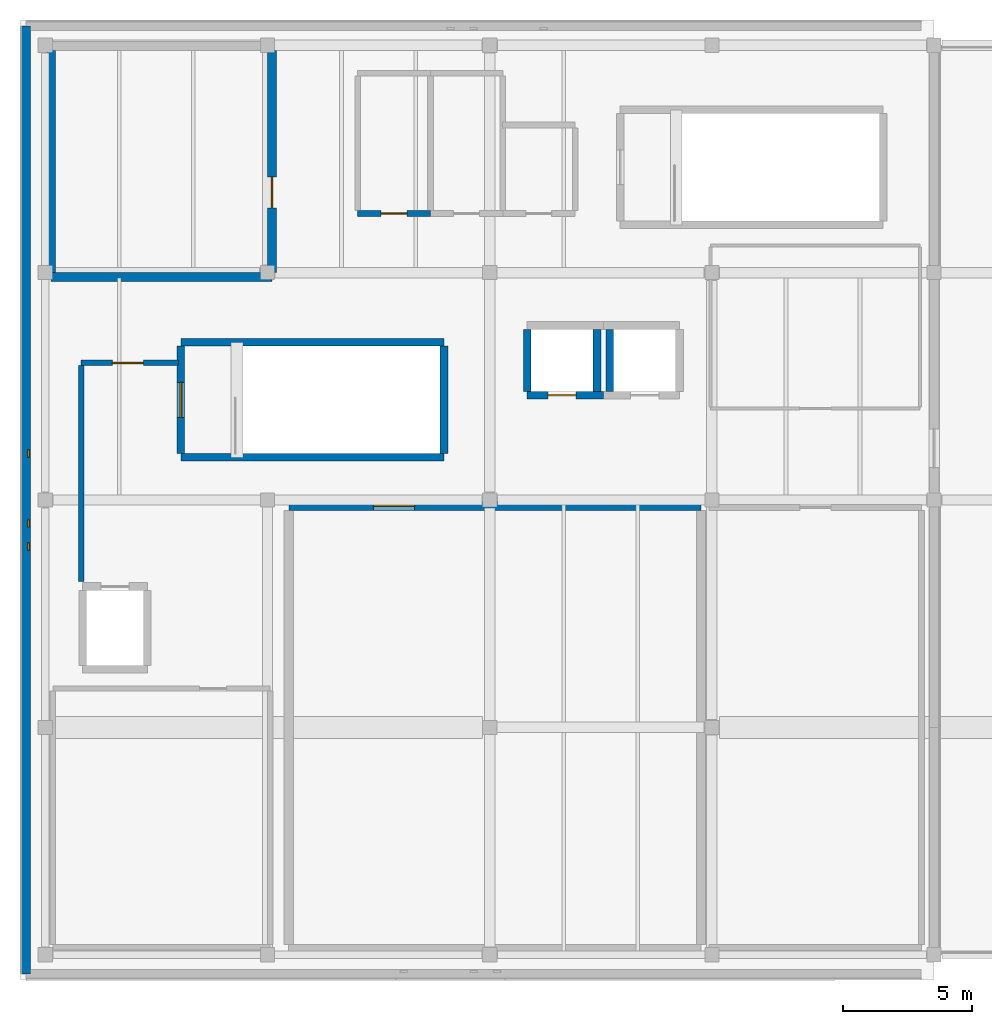
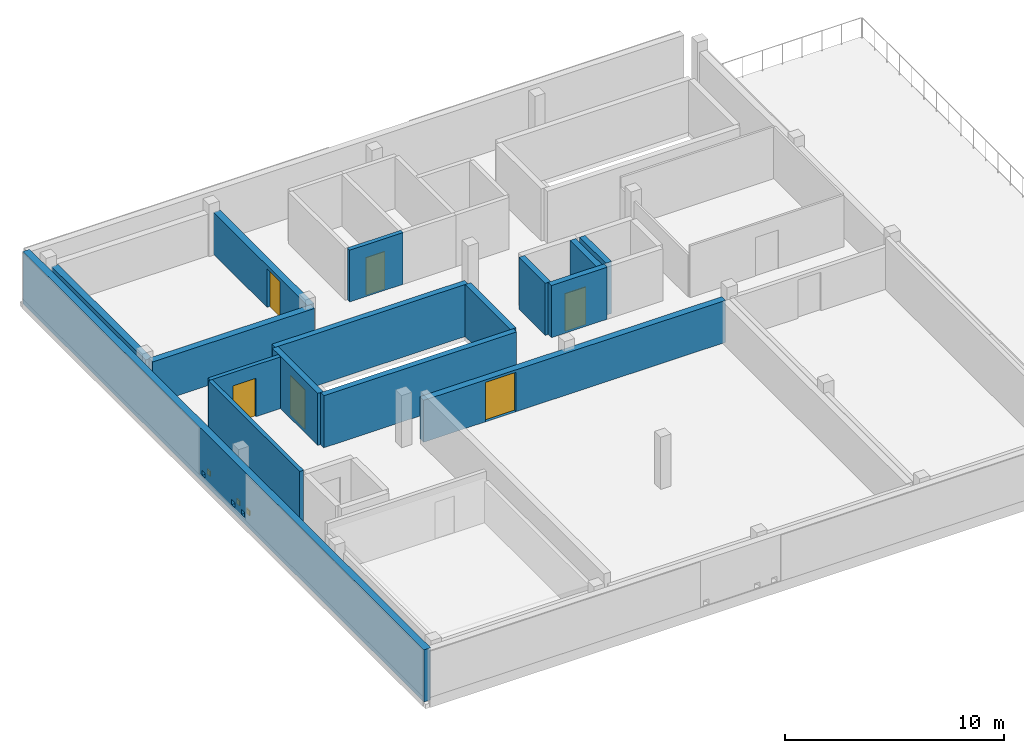
# One storey, part 3 of 6: 16 walls, 6 doors, 3 windows, 9 openings.
"""IFC4 building model written with IfcOpenShell, lengths in metres."""

from ifc_helpers import new_model, si_unit, direction, frame, frame_2d, origin, place, context, subcontext, project, spatial, rectangle, extrude, material, layer, layer_set, type_object, element, fill, save


model = new_model("IFC4")

# Units and contexts
model_context = context("Model", 3, precision=1e-05, world=origin(), true_north=direction((0.0, 1.0)))
body_context = subcontext(model_context, "Body", "Model", "MODEL_VIEW")
ifc_project = project(units=[si_unit("LENGTHUNIT", "METRE"), si_unit("AREAUNIT", "SQUARE_METRE"), si_unit("VOLUMEUNIT", "CUBIC_METRE"), si_unit("PLANEANGLEUNIT", "RADIAN"), si_unit("MASSUNIT", "GRAM", prefix="KILO")], contexts=[model_context])

# Site, building, storey
site_placement = place(None, origin())
site = spatial("IfcSite", under=ifc_project, at=site_placement, CompositionType="ELEMENT")
building_placement = place(site_placement, origin())
building = spatial("IfcBuilding", under=site, at=building_placement, Name="Varnakota Cinema and Media Centre", CompositionType="ELEMENT")
storey_placement = place(building_placement, frame((0.0, 0.0, 25.5)))
storey = spatial("IfcBuildingStorey", under=building, at=storey_placement, Name="L07", CompositionType="ELEMENT", Elevation=25.5)

# Wall
ifc_material_1 = material(Name="Autoclaved aerated concrete blockwork", Category="masonry")
ifc_layer_1 = layer(ifc_material_1, 0.2099609375)
ifc_layer_set_1 = layer_set([ifc_layer_1], Name="Autoclaved aerated concrete blockwork")
wall_type_1 = type_object("IfcWallType", Name="W-ACOUST-210", PredefinedType="PARTITIONING", material=ifc_layer_set_1)
wall_1_placement = place(storey_placement, frame((1.39501953125, 14.449951171875, 0.0), z_axis=(0.0, 0.0, 1.0), x_axis=(0.0, 1.0, 0.0)))
element("IfcWall", 1, at=wall_1_placement, inside=storey, type_object=wall_type_1, Name="L07 RWALL-RM-L07-FF-1 W wall", PredefinedType="PARTITIONING", context=body_context, shape_type="SweptSolid", body=[
    extrude(rectangle(XDim=8.35009765625, YDim=0.2099609375, at=frame_2d((4.175048828125, 0.0))), origin(), (0.0, 0.0, 1.0), 2.889892578125),
])

# Wall, opening, door
wall_2_placement = place(storey_placement, frame((1.39501953125, 22.905029296875, 0.0), z_axis=(0.0, 0.0, 1.0), x_axis=(1.0, 0.0, 0.0)))
wall_2 = element("IfcWall", 2, at=wall_2_placement, inside=storey, type_object=wall_type_1, Name="L07 RWALL-RM-L07-FF-1 N wall", PredefinedType="PARTITIONING", context=body_context, shape_type="SweptSolid", body=[
    extrude(rectangle(XDim=3.760009765625, YDim=0.2099609375, at=frame_2d((1.8798828125, 0.0))), origin(), (0.0, 0.0, 1.0), 2.889892578125),
])
opening_1_placement = place(wall_2_placement, frame((1.205078125, 0.0, 0.0)))
opening_1 = element("IfcOpeningElement", 3, at=opening_1_placement, cuts=wall_2, Name="Opening D-009", PredefinedType="OPENING", context=body_context, shape_type="SweptSolid", body=[
    extrude(rectangle(XDim=1.199951171875, YDim=2.14990234375, at=frame_2d((0.60009765625, 1.074951171875))), frame((0.0, 0.10498046875, 0.0), z_axis=(0.0, -1.0, 0.0), x_axis=(1.0, 0.0, 0.0)), (0.0, 0.0, 1.0), 0.2099609375),
])
ifc_material_2 = material(Name="Thermally broken anodised aluminium AW-6063", Category="aluminium")
door_type_1 = type_object("IfcDoorType", Name="DR-STD-1200x2150", OperationType="NOTDEFINED", PredefinedType="DOOR", material=ifc_material_2)
door_1_placement = place(opening_1_placement, origin())
door_1 = element("IfcDoor", 4, at=door_1_placement, inside=storey, type_object=door_type_1, Name="L07 door D-009", OperationType="SINGLE_SWING_LEFT", OverallHeight=2.14990234375, OverallWidth=1.199951171875, PredefinedType="DOOR", context=body_context, shape_type="SweptSolid", body=[
    extrude(rectangle(XDim=1.199951171875, YDim=2.14990234375, at=frame_2d((0.60009765625, 1.074951171875))), frame((0.0, 0.02490234375, 0.0), z_axis=(0.0, -1.0, 0.0), x_axis=(1.0, 0.0, 0.0)), (0.0, 0.0, 1.0), 0.050048828125),
])
fill(opening_1, door_1)

# Wall
ifc_material_3 = material(Name="Concrete M40", Category="concrete")
ifc_layer_2 = layer(ifc_material_3, 0.300048828125)
ifc_layer_set_2 = layer_set([ifc_layer_2], Name="Concrete M40")
wall_type_2 = type_object("IfcWallType", Name="W-CORE-300", PredefinedType="SHEAR", material=ifc_layer_set_2)
wall_3_placement = place(storey_placement, frame((15.429931640625, 19.25, 0.0), z_axis=(0.0, 0.0, 1.0), x_axis=(-1.0, 0.0, 0.0)))
element("IfcWall", 5, at=wall_3_placement, inside=storey, type_object=wall_type_2, Name="L07 CWALL-ST-01-L07 S wall", PredefinedType="SHEAR", context=body_context, shape_type="SweptSolid", body=[
    extrude(rectangle(XDim=10.179931640625, YDim=0.300048828125, at=frame_2d((5.08984375, 0.0))), origin(), (0.0, 0.0, 1.0), 2.909912109375),
])

# Wall, opening, door
wall_4_placement = place(storey_placement, frame((5.25, 19.39990234375, 0.0), z_axis=(0.0, 0.0, 1.0), x_axis=(0.0, 1.0, 0.0)))
wall_4 = element("IfcWall", 6, at=wall_4_placement, inside=storey, type_object=wall_type_2, Name="L07 CWALL-ST-01-L07 W wall", PredefinedType="SHEAR", context=body_context, shape_type="SweptSolid", body=[
    extrude(rectangle(XDim=4.150146484375, YDim=0.300048828125, at=frame_2d((2.0751953125, 0.0))), origin(), (0.0, 0.0, 1.0), 2.909912109375),
])
opening_2_placement = place(wall_4_placement, frame((1.39990234375, 0.0, 0.0)))
opening_2 = element("IfcOpeningElement", 7, at=opening_2_placement, cuts=wall_4, Name="Opening SD-01", PredefinedType="OPENING", context=body_context, shape_type="SweptSolid", body=[
    extrude(rectangle(XDim=1.35009765625, YDim=2.199951171875, at=frame_2d((0.675048828125, 1.10009765625))), frame((0.0, 0.14990234375, 0.0), z_axis=(0.0, -1.0, 0.0), x_axis=(1.0, 0.0, 0.0)), (0.0, 0.0, 1.0), 0.300048828125),
])
ifc_material_4 = material(Name="Thermally broken anodised aluminium AW-6063", Category="aluminium")
door_type_2 = type_object("IfcDoorType", Name="DR-STAIR-1350x2200", OperationType="NOTDEFINED", PredefinedType="DOOR", material=ifc_material_4)
door_2_placement = place(opening_2_placement, origin())
door_2 = element("IfcDoor", 8, at=door_2_placement, inside=storey, type_object=door_type_2, Name="L07 door SD-01", OperationType="SINGLE_SWING_RIGHT", OverallHeight=2.199951171875, OverallWidth=1.35009765625, PredefinedType="DOOR", context=body_context, shape_type="SweptSolid", body=[
    extrude(rectangle(XDim=1.35009765625, YDim=2.199951171875, at=frame_2d((0.675048828125, 1.10009765625))), frame((0.0, 0.02490234375, 0.0), z_axis=(0.0, -1.0, 0.0), x_axis=(1.0, 0.0, 0.0)), (0.0, 0.0, 1.0), 0.050048828125),
])
fill(opening_2, door_2)

# Walls
wall_5_placement = place(storey_placement, frame((5.25, 23.699951171875, 0.0), z_axis=(0.0, 0.0, 1.0), x_axis=(1.0, 0.0, 0.0)))
element("IfcWall", 9, at=wall_5_placement, inside=storey, type_object=wall_type_2, Name="L07 CWALL-ST-01-L07 N wall", PredefinedType="SHEAR", context=body_context, shape_type="SweptSolid", body=[
    extrude(rectangle(XDim=10.179931640625, YDim=0.300048828125, at=frame_2d((5.08984375, 0.0))), origin(), (0.0, 0.0, 1.0), 2.909912109375),
])
wall_6_placement = place(storey_placement, frame((15.429931640625, 23.550048828125, 0.0), z_axis=(0.0, 0.0, 1.0), x_axis=(0.0, -1.0, 0.0)))
element("IfcWall", 10, at=wall_6_placement, inside=storey, type_object=wall_type_2, Name="L07 CWALL-ST-01-L07 E wall", PredefinedType="SHEAR", context=body_context, shape_type="SweptSolid", body=[
    extrude(rectangle(XDim=4.150146484375, YDim=0.300048828125, at=frame_2d((2.0751953125, 0.0))), origin(), (0.0, 0.0, 1.0), 2.909912109375),
])

# Wall, opening, door
wall_7_placement = place(storey_placement, frame((21.60009765625, 21.64990234375, 0.0), z_axis=(0.0, 0.0, 1.0), x_axis=(-1.0, 0.0, 0.0)))
wall_7 = element("IfcWall", 11, at=wall_7_placement, inside=storey, type_object=wall_type_2, Name="L07 LSHAFT-LF-03-L07 S wall", PredefinedType="SHEAR", context=body_context, shape_type="SweptSolid", body=[
    extrude(rectangle(XDim=2.9501953125, YDim=0.300048828125, at=frame_2d((1.47509765625, 0.0))), origin(), (0.0, 0.0, 1.0), 2.909912109375),
])
opening_3_placement = place(wall_7_placement, frame((1.050048828125, 0.0, 0.0)))
opening_3 = element("IfcOpeningElement", 12, at=opening_3_placement, cuts=wall_7, Name="Opening LD-03", PredefinedType="OPENING", context=body_context, shape_type="SweptSolid", body=[
    extrude(rectangle(XDim=1.10009765625, YDim=2.10009765625, at=frame_2d((0.550048828125, 1.050048828125))), frame((0.0, 0.14990234375, 0.0), z_axis=(0.0, -1.0, 0.0), x_axis=(1.0, 0.0, 0.0)), (0.0, 0.0, 1.0), 0.300048828125),
])
ifc_material_5 = material(Name="Thermally broken anodised aluminium AW-6063", Category="aluminium")
door_type_3 = type_object("IfcDoorType", Name="DR-LIFT-1100x2100", OperationType="SLIDING_TO_LEFT", PredefinedType="DOOR", material=ifc_material_5)
door_3_placement = place(opening_3_placement, origin())
door_3 = element("IfcDoor", 13, at=door_3_placement, inside=storey, type_object=door_type_3, Name="L07 door LD-03", OperationType="SLIDING_TO_LEFT", OverallHeight=2.10009765625, OverallWidth=1.10009765625, PredefinedType="DOOR", context=body_context, shape_type="SweptSolid", body=[
    extrude(rectangle(XDim=1.10009765625, YDim=2.10009765625, at=frame_2d((0.550048828125, 1.050048828125))), frame((0.0, 0.02490234375, 0.0), z_axis=(0.0, -1.0, 0.0), x_axis=(1.0, 0.0, 0.0)), (0.0, 0.0, 1.0), 0.050048828125),
])
fill(opening_3, door_3)

# Walls
for number, where, z_axis, x_axis, name in (
    (14, (18.64990234375, 21.800048828125, 0.0), (0.0, 0.0, 1.0), (0.0, 1.0, 0.0), "L07 LSHAFT-LF-03-L07 W wall"),
    (15, (21.35009765625, 24.199951171875, 0.0), (0.0, 0.0, 1.0), (0.0, -1.0, 0.0), "L07 LSHAFT-LF-03-L07 E wall"),
    (16, (21.85009765625, 21.800048828125, 0.0), (0.0, 0.0, 1.0), (0.0, 1.0, 0.0), "L07 LSHAFT-LF-04-L07 W wall"),
):
    element("IfcWall", number, at=place(storey_placement, frame(where, z_axis=z_axis, x_axis=x_axis)), inside=storey, type_object=wall_type_2, Name=name, PredefinedType="SHEAR", context=body_context, shape_type="SweptSolid", body=[
        extrude(rectangle(XDim=2.39990234375, YDim=0.300048828125, at=frame_2d((1.199951171875, 0.0))), origin(), (0.0, 0.0, 1.0), 2.909912109375),
    ])

# Wall, openings, windows
ifc_material_6 = material(Name="Pale Tandur limestone cladding", Category="masonry")
ifc_layer_3 = layer(ifc_material_6, 0.360107421875)
ifc_layer_set_3 = layer_set([ifc_layer_3], Name="Pale Tandur limestone cladding")
wall_type_3 = type_object("IfcWallType", Name="W-EXT-TANDUR-360", PredefinedType="SOLIDWALL", material=ifc_layer_set_3)
wall_8_placement = place(storey_placement, frame((-0.739990234375, -0.739990234375, 0.0), z_axis=(0.0, 0.0, 1.0), x_axis=(0.0, 1.0, 0.0)))
wall_8 = element("IfcWall", 17, at=wall_8_placement, inside=storey, type_object=wall_type_3, Name="L07 V4 pale Tandur stone monolith wall V4-W", PredefinedType="SOLIDWALL", context=body_context, shape_type="SweptSolid", body=[
    extrude(rectangle(XDim=36.679931640625, YDim=0.360107421875, at=frame_2d((18.33984375, 0.0))), origin(), (0.0, 0.0, 1.0), 2.909912109375),
])
opening_4_placement = place(wall_8_placement, frame((16.39990234375, 0.0, 0.360107421875)))
opening_4 = element("IfcOpeningElement", 18, at=opening_4_placement, cuts=wall_8, Name="Opening WP15", PredefinedType="OPENING", context=body_context, shape_type="SweptSolid", body=[
    extrude(rectangle(XDim=0.280029296875, YDim=0.280029296875, at=frame_2d((0.14013671875, 0.14013671875))), frame((0.0, 0.18017578125, 0.0), z_axis=(0.0, -1.0, 0.0), x_axis=(1.0, 0.0, 0.0)), (0.0, 0.0, 1.0), 0.360107421875),
])
opening_5_placement = place(wall_8_placement, frame((17.300048828125, 0.0, 0.360107421875)))
opening_5 = element("IfcOpeningElement", 19, at=opening_5_placement, cuts=wall_8, Name="Opening WP15", PredefinedType="OPENING", context=body_context, shape_type="SweptSolid", body=[
    extrude(rectangle(XDim=0.280029296875, YDim=0.280029296875, at=frame_2d((0.14013671875, 0.14013671875))), frame((0.0, 0.18017578125, 0.0), z_axis=(0.0, -1.0, 0.0), x_axis=(1.0, 0.0, 0.0)), (0.0, 0.0, 1.0), 0.360107421875),
])
opening_6_placement = place(wall_8_placement, frame((20.0, 0.0, 0.360107421875)))
opening_6 = element("IfcOpeningElement", 20, at=opening_6_placement, cuts=wall_8, Name="Opening WP15", PredefinedType="OPENING", context=body_context, shape_type="SweptSolid", body=[
    extrude(rectangle(XDim=0.280029296875, YDim=0.280029296875, at=frame_2d((0.14013671875, 0.14013671875))), frame((0.0, 0.18017578125, 0.0), z_axis=(0.0, -1.0, 0.0), x_axis=(1.0, 0.0, 0.0)), (0.0, 0.0, 1.0), 0.360107421875),
])
ifc_material_7 = material(Name="Laminated solar-control double glazing", Category="glass")
window_type = type_object("IfcWindowType", Name="WIN-PIERCE-15", PartitioningType="SINGLE_PANEL", PredefinedType="WINDOW", material=ifc_material_7)
window_1_placement = place(opening_4_placement, origin())
window_1 = element("IfcWindow", 21, at=window_1_placement, inside=storey, type_object=window_type, Name="L07 window WP15", OverallHeight=0.280029296875, OverallWidth=0.280029296875, PartitioningType="SINGLE_PANEL", PredefinedType="WINDOW", context=body_context, shape_type="SweptSolid", body=[
    extrude(rectangle(XDim=0.280029296875, YDim=0.280029296875, at=frame_2d((0.14013671875, 0.14013671875))), frame((0.0, -0.070068359375, 0.0), z_axis=(0.0, -1.0, 0.0), x_axis=(1.0, 0.0, 0.0)), (0.0, 0.0, 1.0), 0.06005859375),
])
fill(opening_4, window_1)
window_2_placement = place(opening_5_placement, origin())
window_2 = element("IfcWindow", 22, at=window_2_placement, inside=storey, type_object=window_type, Name="L07 window WP15", OverallHeight=0.280029296875, OverallWidth=0.280029296875, PartitioningType="SINGLE_PANEL", PredefinedType="WINDOW", context=body_context, shape_type="SweptSolid", body=[
    extrude(rectangle(XDim=0.280029296875, YDim=0.280029296875, at=frame_2d((0.14013671875, 0.14013671875))), frame((0.0, -0.070068359375, 0.0), z_axis=(0.0, -1.0, 0.0), x_axis=(1.0, 0.0, 0.0)), (0.0, 0.0, 1.0), 0.06005859375),
])
fill(opening_5, window_2)
window_3_placement = place(opening_6_placement, origin())
window_3 = element("IfcWindow", 23, at=window_3_placement, inside=storey, type_object=window_type, Name="L07 window WP15", OverallHeight=0.280029296875, OverallWidth=0.280029296875, PartitioningType="SINGLE_PANEL", PredefinedType="WINDOW", context=body_context, shape_type="SweptSolid", body=[
    extrude(rectangle(XDim=0.280029296875, YDim=0.280029296875, at=frame_2d((0.14013671875, 0.14013671875))), frame((0.0, -0.070068359375, 0.0), z_axis=(0.0, -1.0, 0.0), x_axis=(1.0, 0.0, 0.0)), (0.0, 0.0, 1.0), 0.06005859375),
])
fill(opening_6, window_3)

# Wall, opening, door
ifc_material_8 = material(Name="Autoclaved aerated concrete blockwork", Category="masonry")
ifc_layer_4 = layer(ifc_material_8, 0.219970703125)
ifc_layer_set_4 = layer_set([ifc_layer_4], Name="Autoclaved aerated concrete blockwork")
wall_type_4 = type_object("IfcWallType", Name="W-PLUMB-220", PredefinedType="PLUMBINGWALL", material=ifc_layer_set_4)
wall_9_placement = place(storey_placement, frame((14.909912109375, 28.68994140625, 0.0), z_axis=(0.0, 0.0, 1.0), x_axis=(-1.0, 0.0, 0.0)))
wall_9 = element("IfcWall", 24, at=wall_9_placement, inside=storey, type_object=wall_type_4, Name="L07 RWALL-RM-L07-WCM S wall", PredefinedType="PLUMBINGWALL", context=body_context, shape_type="SweptSolid", body=[
    extrude(rectangle(XDim=2.81982421875, YDim=0.219970703125, at=frame_2d((1.409912109375, 0.0))), origin(), (0.0, 0.0, 1.0), 2.889892578125),
])
opening_7_placement = place(wall_9_placement, frame((0.909912109375, 0.0, 0.0)))
opening_7 = element("IfcOpeningElement", 25, at=opening_7_placement, cuts=wall_9, Name="Opening D-038", PredefinedType="OPENING", context=body_context, shape_type="SweptSolid", body=[
    extrude(rectangle(XDim=1.0, YDim=2.10009765625, at=frame_2d((0.5, 1.050048828125))), frame((0.0, 0.10986328125, 0.0), z_axis=(0.0, -1.0, 0.0), x_axis=(1.0, 0.0, 0.0)), (0.0, 0.0, 1.0), 0.219970703125),
])
ifc_material_9 = material(Name="Thermally broken anodised aluminium AW-6063", Category="aluminium")
door_type_4 = type_object("IfcDoorType", Name="DR-STD-1000x2100", OperationType="NOTDEFINED", PredefinedType="DOOR", material=ifc_material_9)
door_4_placement = place(opening_7_placement, origin())
door_4 = element("IfcDoor", 26, at=door_4_placement, inside=storey, type_object=door_type_4, Name="L07 door D-038", OperationType="SINGLE_SWING_RIGHT", OverallHeight=2.10009765625, OverallWidth=1.0, PredefinedType="DOOR", context=body_context, shape_type="SweptSolid", body=[
    extrude(rectangle(XDim=1.0, YDim=2.10009765625, at=frame_2d((0.5, 1.050048828125))), frame((0.0, 0.02490234375, 0.0), z_axis=(0.0, -1.0, 0.0), x_axis=(1.0, 0.0, 0.0)), (0.0, 0.0, 1.0), 0.050048828125),
])
fill(opening_7, door_4)

ifc_material_10 = material(Name="Concrete M40", Category="concrete")
ifc_layer_5 = layer(ifc_material_10, 0.35009765625)
ifc_layer_set_5 = layer_set([ifc_layer_5], Name="Concrete M40")
wall_type_5 = type_object("IfcWallType", Name="W-SEP-350", PredefinedType="SOLIDWALL", material=ifc_layer_set_5)
wall_10_placement = place(storey_placement, frame((9.425048828125, 17.375, 0.0), z_axis=(0.0, 0.0, 1.0), x_axis=(1.0, 0.0, 0.0)))
wall_10 = element("IfcWall", 27, at=wall_10_placement, inside=storey, type_object=wall_type_5, Name="L07 RWALL-RM-L07-CINE8 N wall", PredefinedType="SOLIDWALL", context=body_context, shape_type="SweptSolid", body=[
    extrude(rectangle(XDim=15.949951171875, YDim=0.35009765625, at=frame_2d((7.97509765625, 0.0))), origin(), (0.0, 0.0, 1.0), 2.340087890625),
])
opening_8_placement = place(wall_10_placement, frame((3.27490234375, 0.0, 0.0)))
opening_8 = element("IfcOpeningElement", 28, at=opening_8_placement, cuts=wall_10, Name="Opening D-116", PredefinedType="OPENING", context=body_context, shape_type="SweptSolid", body=[
    extrude(rectangle(XDim=1.60009765625, YDim=2.199951171875, at=frame_2d((0.800048828125, 1.10009765625))), frame((0.0, 0.175048828125, 0.0), z_axis=(0.0, -1.0, 0.0), x_axis=(1.0, 0.0, 0.0)), (0.0, 0.0, 1.0), 0.35009765625),
])
ifc_material_11 = material(Name="Thermally broken anodised aluminium AW-6063", Category="aluminium")
door_type_5 = type_object("IfcDoorType", Name="DR-STD-1600x2200", OperationType="DOUBLE_DOOR_SINGLE_SWING", PredefinedType="DOOR", material=ifc_material_11)
door_5_placement = place(opening_8_placement, origin())
door_5 = element("IfcDoor", 29, at=door_5_placement, inside=storey, type_object=door_type_5, Name="L07 door D-116", OperationType="DOUBLE_DOOR_SINGLE_SWING", OverallHeight=2.199951171875, OverallWidth=1.60009765625, PredefinedType="DOOR", context=body_context, shape_type="SweptSolid", body=[
    extrude(rectangle(XDim=1.60009765625, YDim=2.199951171875, at=frame_2d((0.800048828125, 1.10009765625))), frame((0.0, 0.02490234375, 0.0), z_axis=(0.0, -1.0, 0.0), x_axis=(1.0, 0.0, 0.0)), (0.0, 0.0, 1.0), 0.050048828125),
])
fill(opening_8, door_5)

# Walls
wall_11_placement = place(storey_placement, frame((8.77490234375, 26.22509765625, 0.0), z_axis=(0.0, 0.0, 1.0), x_axis=(-1.0, 0.0, 0.0)))
element("IfcWall", 30, at=wall_11_placement, inside=storey, type_object=wall_type_5, Name="L07 RWALL-RM-L07-ARCHIVE S wall", PredefinedType="SOLIDWALL", context=body_context, shape_type="SweptSolid", body=[
    extrude(rectangle(XDim=8.5498046875, YDim=0.35009765625, at=frame_2d((4.27490234375, 0.0))), origin(), (0.0, 0.0, 1.0), 2.340087890625),
])
wall_12_placement = place(storey_placement, frame((0.22509765625, 26.39990234375, 0.0), z_axis=(0.0, 0.0, 1.0), x_axis=(0.0, 1.0, 0.0)))
element("IfcWall", 31, at=wall_12_placement, inside=storey, type_object=wall_type_5, Name="L07 RWALL-RM-L07-ARCHIVE W wall", PredefinedType="SOLIDWALL", context=body_context, shape_type="SweptSolid", body=[
    extrude(rectangle(XDim=8.60009765625, YDim=0.35009765625, at=frame_2d((4.300048828125, 0.0))), origin(), (0.0, 0.0, 1.0), 2.300048828125),
])

# Wall, opening, door
wall_13_placement = place(storey_placement, frame((8.77490234375, 35.0, 0.0), z_axis=(0.0, 0.0, 1.0), x_axis=(0.0, -1.0, 0.0)))
wall_13 = element("IfcWall", 32, at=wall_13_placement, inside=storey, type_object=wall_type_5, Name="L07 RWALL-RM-L07-ARCHIVE E wall", PredefinedType="SOLIDWALL", context=body_context, shape_type="SweptSolid", body=[
    extrude(rectangle(XDim=8.60009765625, YDim=0.35009765625, at=frame_2d((4.300048828125, 0.0))), origin(), (0.0, 0.0, 1.0), 2.340087890625),
])
opening_9_placement = place(wall_13_placement, frame((4.89990234375, 0.0, 0.0)))
opening_9 = element("IfcOpeningElement", 33, at=opening_9_placement, cuts=wall_13, Name="Opening D-119", PredefinedType="OPENING", context=body_context, shape_type="SweptSolid", body=[
    extrude(rectangle(XDim=1.199951171875, YDim=2.14990234375, at=frame_2d((0.60009765625, 1.074951171875))), frame((0.0, 0.175048828125, 0.0), z_axis=(0.0, -1.0, 0.0), x_axis=(1.0, 0.0, 0.0)), (0.0, 0.0, 1.0), 0.35009765625),
])
door_6_placement = place(opening_9_placement, origin())
door_6 = element("IfcDoor", 34, at=door_6_placement, inside=storey, type_object=door_type_1, Name="L07 door D-119", OperationType="SINGLE_SWING_LEFT", OverallHeight=2.14990234375, OverallWidth=1.199951171875, PredefinedType="DOOR", context=body_context, shape_type="SweptSolid", body=[
    extrude(rectangle(XDim=1.199951171875, YDim=2.14990234375, at=frame_2d((0.60009765625, 1.074951171875))), frame((0.0, 0.02490234375, 0.0), z_axis=(0.0, -1.0, 0.0), x_axis=(1.0, 0.0, 0.0)), (0.0, 0.0, 1.0), 0.050048828125),
])
fill(opening_9, door_6)

save(model, "model.ifc")
